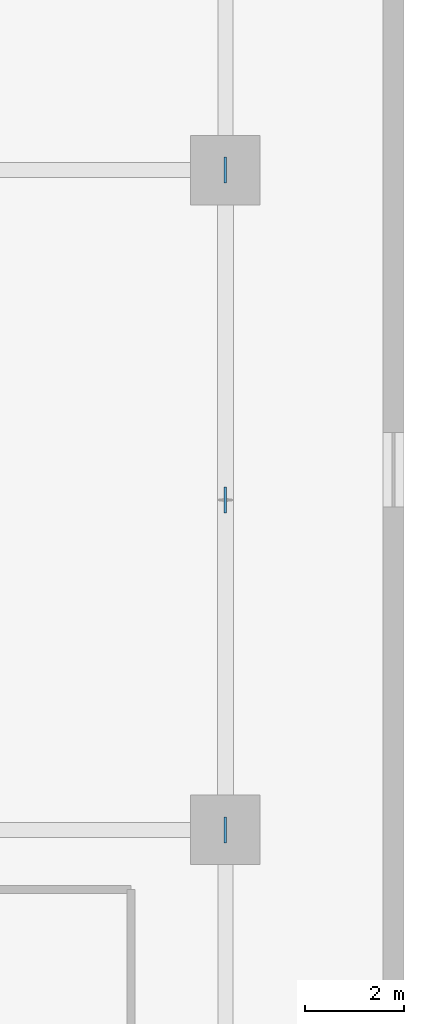
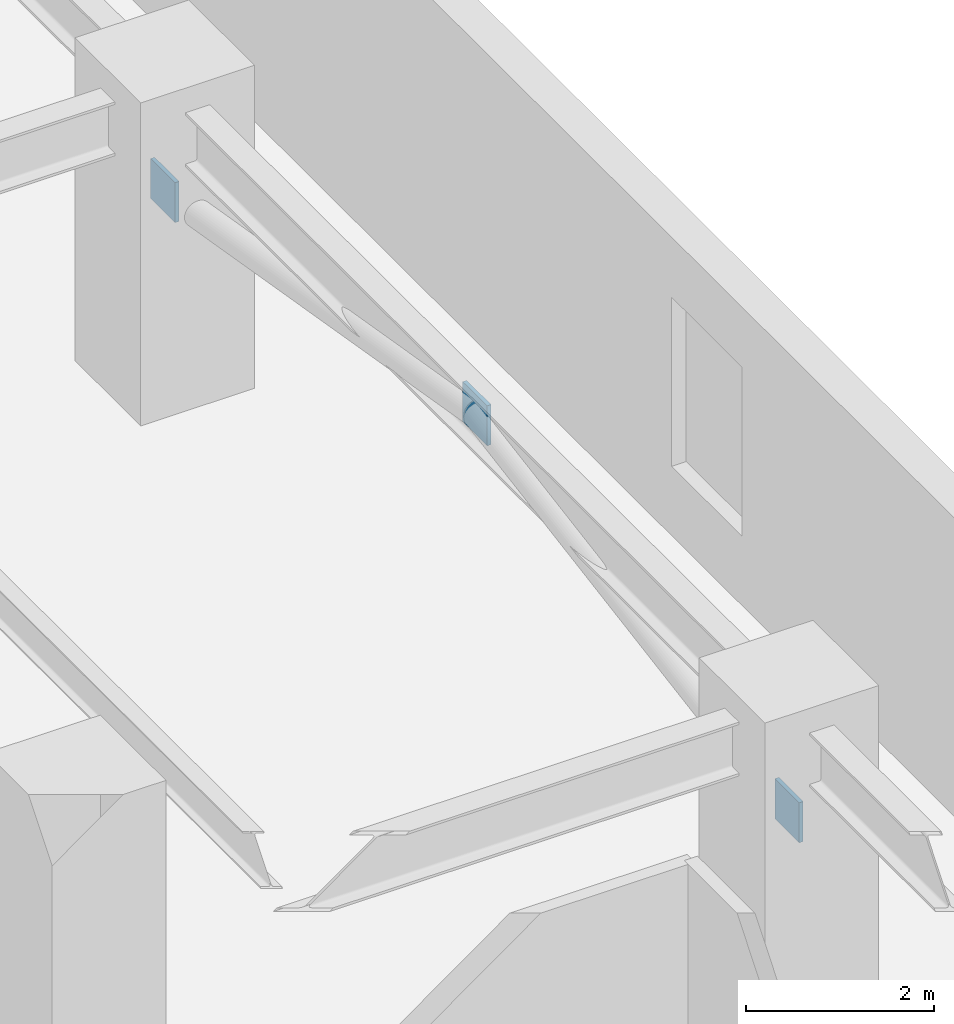
# One storey, part 17 of 25: 3 discrete accessories.
"""IFC4 building model written with IfcOpenShell, lengths in metres."""

from ifc_helpers import new_model, si_unit, direction, frame, origin, origin_2d, place, context, subcontext, project, spatial, rectangle, extrude, material, type_object, element, save


model = new_model("IFC4")

# Units and contexts
model_context = context("Model", 3, precision=1e-05, world=origin(), true_north=direction((0.0, 1.0)))
body_context = subcontext(model_context, "Body", "Model", "MODEL_VIEW")
ifc_project = project(units=[si_unit("LENGTHUNIT", "METRE"), si_unit("AREAUNIT", "SQUARE_METRE"), si_unit("VOLUMEUNIT", "CUBIC_METRE"), si_unit("PLANEANGLEUNIT", "RADIAN"), si_unit("MASSUNIT", "GRAM", prefix="KILO")], contexts=[model_context])

# Site, building, storey
site_placement = place(None, origin())
site = spatial("IfcSite", under=ifc_project, at=site_placement, CompositionType="ELEMENT")
building_placement = place(site_placement, origin())
building = spatial("IfcBuilding", under=site, at=building_placement, Name="Narakoshi Arena Tower", CompositionType="ELEMENT")
storey_placement = place(building_placement, frame((0.0, 0.0, 9.0)))
storey = spatial("IfcBuildingStorey", under=building, at=storey_placement, Name="L02", CompositionType="ELEMENT", Elevation=9.0)

# Discrete accessories
ifc_material = material(Name="Structural steel S460ML", Category="steel")
discrete_accessory_type = type_object("IfcDiscreteAccessoryType", Name="ACC-GUS-PLT", PredefinedType="BRACKET", material=ifc_material)
for number, where, z_axis, x_axis, name in (
    (1, (122.39990234375, 34.699951171875, 2.139892578125), (0.0, 0.0, 1.0), (0.0, 1.0, 0.0), "L02 Brace Node Gusset Plate 0028"),
    (2, (122.39990234375, 41.35009765625, 3.27001953125), (0.0, 0.0, 1.0), (0.0, 1.0, 0.0), "L02 Brace Node Gusset Plate 0029"),
    (3, (122.39990234375, 48.0, 2.139892578125), (0.0, 0.0, 1.0), (0.0, 1.0, 0.0), "L02 Brace Node Gusset Plate 0030"),
):
    element("IfcDiscreteAccessory", number, at=place(storey_placement, frame(where, z_axis=z_axis, x_axis=x_axis)), inside=storey, type_object=discrete_accessory_type, Name=name, PredefinedType="BRACKET", context=body_context, shape_type="SweptSolid", body=[
        extrude(rectangle(XDim=0.52001953125, YDim=0.050048828125, at=origin_2d()), origin(), (0.0, 0.0, 1.0), 0.52001953125),
    ])

save(model, "model.ifc")
